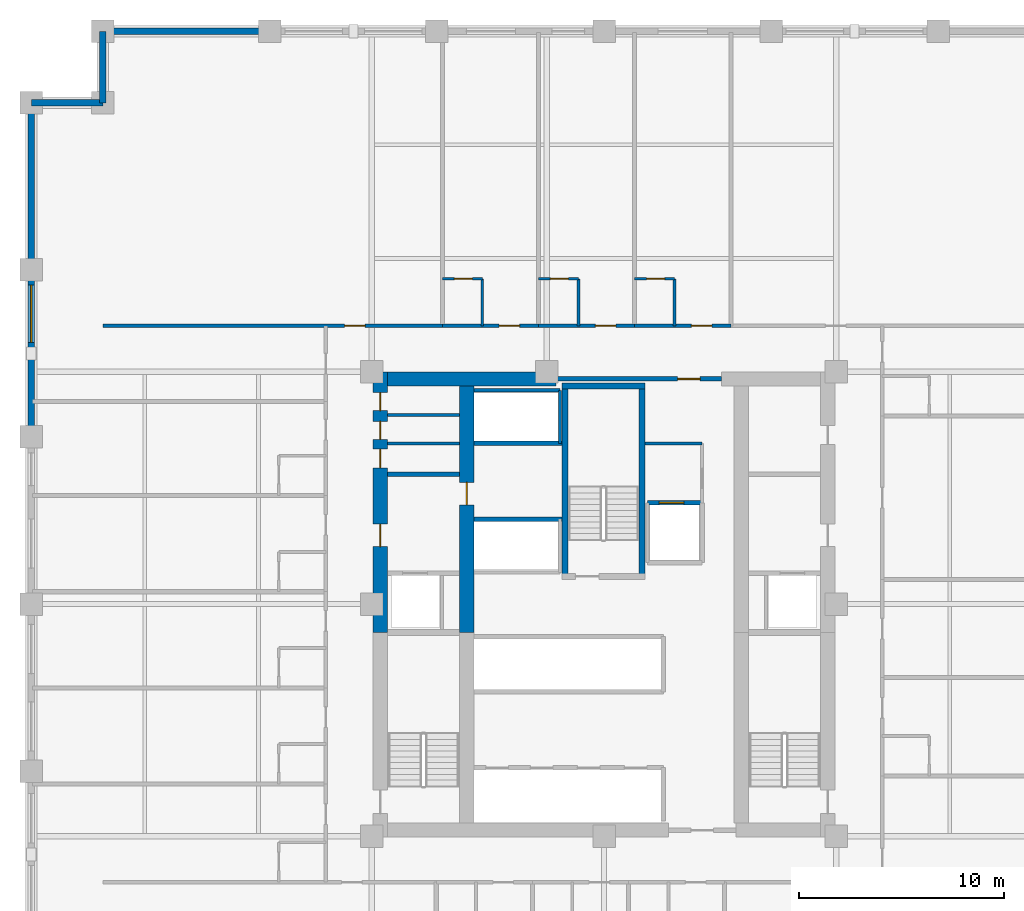
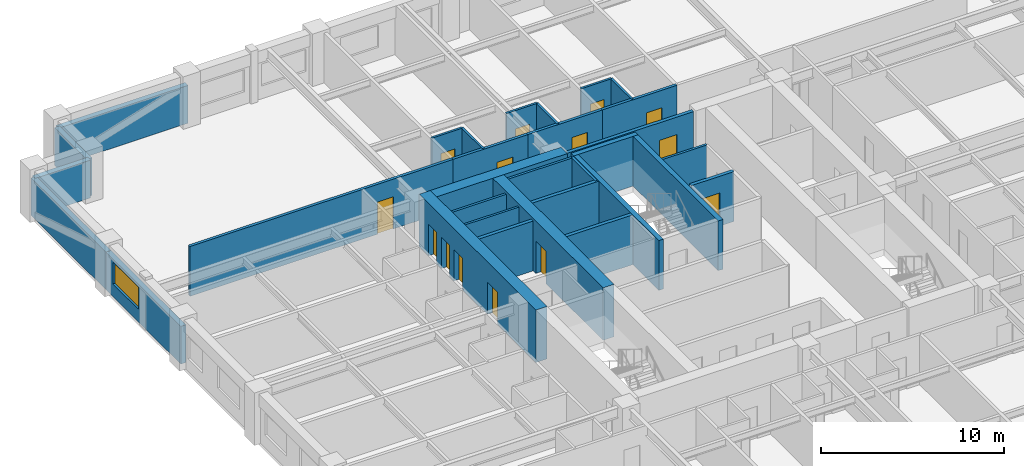
# One storey, part 5 of 8: 31 walls, 14 doors, 1 window, 15 openings.
"""IFC4 building model written with IfcOpenShell, lengths in metres."""

from ifc_helpers import new_model, si_unit, direction, frame, frame_2d, origin, place, context, subcontext, project, spatial, rectangle, extrude, material, layer, layer_set, type_object, element, fill, save


model = new_model("IFC4")

# Units and contexts
model_context = context("Model", 3, precision=1e-05, world=origin(), true_north=direction((0.0, 1.0)))
body_context = subcontext(model_context, "Body", "Model", "MODEL_VIEW")
ifc_project = project(units=[si_unit("LENGTHUNIT", "METRE"), si_unit("AREAUNIT", "SQUARE_METRE"), si_unit("VOLUMEUNIT", "CUBIC_METRE"), si_unit("PLANEANGLEUNIT", "RADIAN"), si_unit("MASSUNIT", "GRAM", prefix="KILO")], contexts=[model_context])

# Site, building, storey
site_placement = place(None, origin())
site = spatial("IfcSite", under=ifc_project, at=site_placement, CompositionType="ELEMENT")
building_placement = place(site_placement, origin())
building = spatial("IfcBuilding", under=site, at=building_placement, Name="Nhamokura Convention Tower", CompositionType="ELEMENT")
storey_placement = place(building_placement, frame((0.0, 0.0, 42.35009765625)))
storey = spatial("IfcBuildingStorey", under=building, at=storey_placement, Name="L08", CompositionType="ELEMENT", Elevation=42.35009765625)

# Walls
ifc_material_1 = material(Name="Moisture-resistant tile-backer partition", Category="masonry")
ifc_layer_1 = layer(ifc_material_1, 0.139892578125)
ifc_layer_set_1 = layer_set([ifc_layer_1], Name="BathroomWetWall_140")
wall_type_1 = type_object("IfcWallType", Name="BathroomWetWall_140", PredefinedType="STANDARD", material=ifc_layer_set_1)
wall_1_placement = place(storey_placement, frame((21.409912109375, 39.85009765625, 0.0), z_axis=(0.0, 0.0, 1.0), x_axis=(1.0, 0.0, 0.0)))
element("IfcWall", 1, at=wall_1_placement, inside=storey, type_object=wall_type_1, Name="L08 Wall INT-L08-CWNW1", PredefinedType="STANDARD", context=body_context, shape_type="SweptSolid", body=[
    extrude(rectangle(XDim=3.530029296875, YDim=0.139892578125, at=frame_2d((1.76513671875, 0.0))), origin(), (0.0, 0.0, 1.0), 3.31982421875),
])
wall_2_placement = place(storey_placement, frame((26.050048828125, 45.60009765625, 0.0), z_axis=(0.0, 0.0, 1.0), x_axis=(0.0, 1.0, 0.0)))
element("IfcWall", 2, at=wall_2_placement, inside=storey, type_object=wall_type_1, Name="L08 Wall INT-L08-BW-N01E", PredefinedType="STANDARD", context=body_context, shape_type="SweptSolid", body=[
    extrude(rectangle(XDim=2.2998046875, YDim=0.139892578125, at=frame_2d((1.14990234375, 0.0))), origin(), (0.0, 0.0, 1.0), 3.31982421875),
])

# Wall, opening, door
wall_3_placement = place(storey_placement, frame((24.10009765625, 47.89990234375, 0.0), z_axis=(0.0, 0.0, 1.0), x_axis=(1.0, 0.0, 0.0)))
wall_3 = element("IfcWall", 3, at=wall_3_placement, inside=storey, type_object=wall_type_1, Name="L08 Wall INT-L08-BW-N01N", PredefinedType="STANDARD", context=body_context, shape_type="SweptSolid", body=[
    extrude(rectangle(XDim=1.949951171875, YDim=0.139892578125, at=frame_2d((0.97509765625, 0.0))), origin(), (0.0, 0.0, 1.0), 3.31982421875),
])
opening_1_placement = place(wall_3_placement, frame((0.580078125, 0.0, 0.0)))
opening_1 = element("IfcOpeningElement", 4, at=opening_1_placement, cuts=wall_3, Name="Opening D-11", PredefinedType="OPENING", context=body_context, shape_type="SweptSolid", body=[
    extrude(rectangle(XDim=0.8798828125, YDim=2.10009765625, at=frame_2d((0.43994140625, 1.050048828125))), frame((0.0, 0.079833984375, 0.0), z_axis=(0.0, -1.0, 0.0), x_axis=(1.0, 0.0, 0.0)), (0.0, 0.0, 1.0), 0.159912109375),
])
ifc_material_2 = material(Name="Solid oak hardwood", Category="wood")
door_type_1 = type_object("IfcDoorType", Name="BathroomDoor_880", OperationType="NOTDEFINED", PredefinedType="DOOR", material=ifc_material_2)
door_1_placement = place(opening_1_placement, origin())
door_1 = element("IfcDoor", 5, at=door_1_placement, inside=storey, type_object=door_type_1, Name="L08 Corner Suite En-suite Door", OperationType="SINGLE_SWING_RIGHT", OverallHeight=2.10009765625, OverallWidth=0.8798828125, PredefinedType="DOOR", context=body_context, shape_type="SweptSolid", body=[
    extrude(rectangle(XDim=0.8798828125, YDim=2.10009765625, at=frame_2d((0.43994140625, 1.050048828125))), frame((0.0, 0.02490234375, 0.0), z_axis=(0.0, -1.0, 0.0), x_axis=(1.0, 0.0, 0.0)), (0.0, 0.0, 1.0), 0.050048828125),
])
fill(opening_1, door_1)

# Wall
wall_4_placement = place(storey_placement, frame((30.75, 45.60009765625, 0.0), z_axis=(0.0, 0.0, 1.0), x_axis=(0.0, 1.0, 0.0)))
element("IfcWall", 6, at=wall_4_placement, inside=storey, type_object=wall_type_1, Name="L08 Wall INT-L08-BW-N02E", PredefinedType="STANDARD", context=body_context, shape_type="SweptSolid", body=[
    extrude(rectangle(XDim=2.2998046875, YDim=0.139892578125, at=frame_2d((1.14990234375, 0.0))), origin(), (0.0, 0.0, 1.0), 3.31982421875),
])

# Wall, opening, door
wall_5_placement = place(storey_placement, frame((28.800048828125, 47.89990234375, 0.0), z_axis=(0.0, 0.0, 1.0), x_axis=(1.0, 0.0, 0.0)))
wall_5 = element("IfcWall", 7, at=wall_5_placement, inside=storey, type_object=wall_type_1, Name="L08 Wall INT-L08-BW-N02N", PredefinedType="STANDARD", context=body_context, shape_type="SweptSolid", body=[
    extrude(rectangle(XDim=1.949951171875, YDim=0.139892578125, at=frame_2d((0.97509765625, 0.0))), origin(), (0.0, 0.0, 1.0), 3.31982421875),
])
opening_2_placement = place(wall_5_placement, frame((0.580078125, 0.0, 0.0)))
opening_2 = element("IfcOpeningElement", 8, at=opening_2_placement, cuts=wall_5, Name="Opening D-11", PredefinedType="OPENING", context=body_context, shape_type="SweptSolid", body=[
    extrude(rectangle(XDim=0.8798828125, YDim=2.10009765625, at=frame_2d((0.43994140625, 1.050048828125))), frame((0.0, 0.079833984375, 0.0), z_axis=(0.0, -1.0, 0.0), x_axis=(1.0, 0.0, 0.0)), (0.0, 0.0, 1.0), 0.159912109375),
])
door_2_placement = place(opening_2_placement, origin())
door_2 = element("IfcDoor", 9, at=door_2_placement, inside=storey, type_object=door_type_1, Name="L08 Guest Room En-suite Door", OperationType="SINGLE_SWING_RIGHT", OverallHeight=2.10009765625, OverallWidth=0.8798828125, PredefinedType="DOOR", context=body_context, shape_type="SweptSolid", body=[
    extrude(rectangle(XDim=0.8798828125, YDim=2.10009765625, at=frame_2d((0.43994140625, 1.050048828125))), frame((0.0, 0.02490234375, 0.0), z_axis=(0.0, -1.0, 0.0), x_axis=(1.0, 0.0, 0.0)), (0.0, 0.0, 1.0), 0.050048828125),
])
fill(opening_2, door_2)

# Wall
wall_6_placement = place(storey_placement, frame((35.449951171875, 45.60009765625, 0.0), z_axis=(0.0, 0.0, 1.0), x_axis=(0.0, 1.0, 0.0)))
element("IfcWall", 10, at=wall_6_placement, inside=storey, type_object=wall_type_1, Name="L08 Wall INT-L08-BW-N03E", PredefinedType="STANDARD", context=body_context, shape_type="SweptSolid", body=[
    extrude(rectangle(XDim=2.2998046875, YDim=0.139892578125, at=frame_2d((1.14990234375, 0.0))), origin(), (0.0, 0.0, 1.0), 3.31982421875),
])

# Wall, opening, door
wall_7_placement = place(storey_placement, frame((33.5, 47.89990234375, 0.0), z_axis=(0.0, 0.0, 1.0), x_axis=(1.0, 0.0, 0.0)))
wall_7 = element("IfcWall", 11, at=wall_7_placement, inside=storey, type_object=wall_type_1, Name="L08 Wall INT-L08-BW-N03N", PredefinedType="STANDARD", context=body_context, shape_type="SweptSolid", body=[
    extrude(rectangle(XDim=1.949951171875, YDim=0.139892578125, at=frame_2d((0.97509765625, 0.0))), origin(), (0.0, 0.0, 1.0), 3.31982421875),
])
opening_3_placement = place(wall_7_placement, frame((0.580078125, 0.0, 0.0)))
opening_3 = element("IfcOpeningElement", 12, at=opening_3_placement, cuts=wall_7, Name="Opening D-11", PredefinedType="OPENING", context=body_context, shape_type="SweptSolid", body=[
    extrude(rectangle(XDim=0.8798828125, YDim=2.10009765625, at=frame_2d((0.43994140625, 1.050048828125))), frame((0.0, 0.079833984375, 0.0), z_axis=(0.0, -1.0, 0.0), x_axis=(1.0, 0.0, 0.0)), (0.0, 0.0, 1.0), 0.159912109375),
])
door_3_placement = place(opening_3_placement, origin())
door_3 = element("IfcDoor", 13, at=door_3_placement, inside=storey, type_object=door_type_1, Name="L08 Corner Suite En-suite Door", OperationType="SINGLE_SWING_RIGHT", OverallHeight=2.10009765625, OverallWidth=0.8798828125, PredefinedType="DOOR", context=body_context, shape_type="SweptSolid", body=[
    extrude(rectangle(XDim=0.8798828125, YDim=2.10009765625, at=frame_2d((0.43994140625, 1.050048828125))), frame((0.0, 0.02490234375, 0.0), z_axis=(0.0, -1.0, 0.0), x_axis=(1.0, 0.0, 0.0)), (0.0, 0.0, 1.0), 0.050048828125),
])
fill(opening_3, door_3)

# Wall
ifc_material_3 = material(Name="Bronze-pigmented precast concrete C45/55", Category="concrete")
ifc_layer_2 = layer(ifc_material_3, 0.320068359375)
ifc_layer_set_2 = layer_set([ifc_layer_2], Name="BronzePrecastSpandrel_320")
wall_type_2 = type_object("IfcWallType", Name="BronzePrecastSpandrel_320", PredefinedType="USERDEFINED", material=ifc_layer_set_2)
wall_8_placement = place(storey_placement, frame((7.5, 60.0, 0.0), z_axis=(0.0, 0.0, 1.0), x_axis=(1.0, 0.0, 0.0)))
element("IfcWall", 14, at=wall_8_placement, inside=storey, type_object=wall_type_2, Name="L08 Braced-Bay Precast Wall NORTH 0", ObjectType="SPANDREL_WALL", PredefinedType="USERDEFINED", context=body_context, shape_type="SweptSolid", body=[
    extrude(rectangle(XDim=8.166748046875, YDim=0.320068359375, at=frame_2d((4.08349609375, 0.0))), origin(), (0.0, 0.0, 1.0), 2.52001953125),
])

# Wall, opening, window
wall_9_placement = place(storey_placement, frame((4.0, 40.166748046875, 0.0), z_axis=(0.0, 0.0, 1.0), x_axis=(0.0, 1.0, 0.0)))
wall_9 = element("IfcWall", 15, at=wall_9_placement, inside=storey, type_object=wall_type_2, Name="L08 Masonry-Frame Wall WEST 4", ObjectType="SPANDREL_WALL", PredefinedType="USERDEFINED", context=body_context, shape_type="SweptSolid", body=[
    extrude(rectangle(XDim=8.16650390625, YDim=0.320068359375, at=frame_2d((4.083251953125, 0.0))), origin(), (0.0, 0.0, 1.0), 2.52001953125),
])
opening_4_placement = place(wall_9_placement, frame((4.625, 0.0, 0.85009765625)))
opening_4 = element("IfcOpeningElement", 16, at=opening_4_placement, cuts=wall_9, Name="Opening W-04", PredefinedType="OPENING", context=body_context, shape_type="SweptSolid", body=[
    extrude(rectangle(XDim=2.800048828125, YDim=1.469970703125, at=frame_2d((1.39990234375, 0.73486328125))), frame((0.0, 0.169921875, 0.0), z_axis=(0.0, -1.0, 0.0), x_axis=(1.0, 0.0, 0.0)), (0.0, 0.0, 1.0), 0.340087890625),
])
ifc_material_4 = material(Name="Solar-control bronze low-E double glass", Category="glass")
window_type = type_object("IfcWindowType", Name="HotelSuiteWindow_2800", PartitioningType="DOUBLE_PANEL_VERTICAL", PredefinedType="WINDOW", material=ifc_material_4)
window_placement = place(opening_4_placement, origin())
window = element("IfcWindow", 17, at=window_placement, inside=storey, type_object=window_type, Name="L08 Facade Window WEST 4-3", OverallHeight=1.469970703125, OverallWidth=2.800048828125, PartitioningType="SINGLE_PANEL", PredefinedType="WINDOW", context=body_context, shape_type="SweptSolid", body=[
    extrude(rectangle(XDim=2.800048828125, YDim=1.469970703125, at=frame_2d((1.39990234375, 0.73486328125))), frame((0.0, 0.030029296875, 0.0), z_axis=(0.0, -1.0, 0.0), x_axis=(1.0, 0.0, 0.0)), (0.0, 0.0, 1.0), 0.06005859375),
])
fill(opening_4, window)

# Walls
wall_10_placement = place(storey_placement, frame((4.0, 48.333251953125, 0.0), z_axis=(0.0, 0.0, 1.0), x_axis=(0.0, 1.0, 0.0)))
element("IfcWall", 18, at=wall_10_placement, inside=storey, type_object=wall_type_2, Name="L08 Braced-Bay Precast Wall WEST 5", ObjectType="SPANDREL_WALL", PredefinedType="USERDEFINED", context=body_context, shape_type="SweptSolid", body=[
    extrude(rectangle(XDim=8.166748046875, YDim=0.320068359375, at=frame_2d((4.08349609375, 0.0))), origin(), (0.0, 0.0, 1.0), 2.52001953125),
])
for number, where, z_axis, x_axis, name in (
    (19, (7.5, 56.5, 0.0), (0.0, 0.0, 1.0), (0.0, 1.0, 0.0), "L08 Notched Corner Wall NW1"),
    (20, (4.0, 56.5, 0.0), (0.0, 0.0, 1.0), (1.0, 0.0, 0.0), "L08 Notched Corner Wall NW2"),
):
    element("IfcWall", number, at=place(storey_placement, frame(where, z_axis=z_axis, x_axis=x_axis)), inside=storey, type_object=wall_type_2, Name=name, ObjectType="SPANDREL_WALL", PredefinedType="USERDEFINED", context=body_context, shape_type="SweptSolid", body=[
        extrude(rectangle(XDim=3.5, YDim=0.320068359375, at=frame_2d((1.75, 0.0))), origin(), (0.0, 0.0, 1.0), 2.52001953125),
    ])

# Wall, openings, doors
ifc_material_5 = material(Name="Concrete C70/85", Category="concrete")
ifc_layer_3 = layer(ifc_material_5, 0.699951171875)
ifc_layer_set_3 = layer_set([ifc_layer_3], Name="CoreShearWall_700")
wall_type_3 = type_object("IfcWallType", Name="CoreShearWall_700", PredefinedType="SHEAR", material=ifc_layer_set_3)
wall_11_placement = place(storey_placement, frame((21.06005859375, 30.60009765625, 0.0), z_axis=(0.0, 0.0, 1.0), x_axis=(0.0, 1.0, 0.0)))
wall_11 = element("IfcWall", 21, at=wall_11_placement, inside=storey, type_object=wall_type_3, Name="L08 Core Shear Wall CW-WN", PredefinedType="SHEAR", context=body_context, shape_type="SweptSolid", body=[
    extrude(rectangle(XDim=12.75, YDim=0.699951171875, at=frame_2d((6.375, 0.0))), origin(), (0.0, 0.0, 1.0), 3.5),
])
opening_5_placement = place(wall_11_placement, frame((4.199951171875, 0.0, 0.0)))
opening_5 = element("IfcOpeningElement", 22, at=opening_5_placement, cuts=wall_11, Name="Opening D-05", PredefinedType="OPENING", context=body_context, shape_type="SweptSolid", body=[
    extrude(rectangle(XDim=1.10009765625, YDim=2.14990234375, at=frame_2d((0.550048828125, 1.074951171875))), frame((0.0, 0.35986328125, 0.0), z_axis=(0.0, -1.0, 0.0), x_axis=(1.0, 0.0, 0.0)), (0.0, 0.0, 1.0), 0.719970703125),
])
opening_6_placement = place(wall_11_placement, frame((8.050048828125, 0.0, 0.0)))
opening_6 = element("IfcOpeningElement", 23, at=opening_6_placement, cuts=wall_11, Name="Opening D-10", PredefinedType="OPENING", context=body_context, shape_type="SweptSolid", body=[
    extrude(rectangle(XDim=0.919921875, YDim=2.10009765625, at=frame_2d((0.4599609375, 1.050048828125))), frame((0.0, 0.35986328125, 0.0), z_axis=(0.0, -1.0, 0.0), x_axis=(1.0, 0.0, 0.0)), (0.0, 0.0, 1.0), 0.719970703125),
])
opening_7_placement = place(wall_11_placement, frame((9.449951171875, 0.0, 0.0)))
opening_7 = element("IfcOpeningElement", 24, at=opening_7_placement, cuts=wall_11, Name="Opening D-11", PredefinedType="OPENING", context=body_context, shape_type="SweptSolid", body=[
    extrude(rectangle(XDim=0.8798828125, YDim=2.10009765625, at=frame_2d((0.43994140625, 1.050048828125))), frame((0.0, 0.35986328125, 0.0), z_axis=(0.0, -1.0, 0.0), x_axis=(1.0, 0.0, 0.0)), (0.0, 0.0, 1.0), 0.719970703125),
])
opening_8_placement = place(wall_11_placement, frame((10.85009765625, 0.0, 0.0)))
opening_8 = element("IfcOpeningElement", 25, at=opening_8_placement, cuts=wall_11, Name="Opening D-11", PredefinedType="OPENING", context=body_context, shape_type="SweptSolid", body=[
    extrude(rectangle(XDim=0.8798828125, YDim=2.10009765625, at=frame_2d((0.43994140625, 1.050048828125))), frame((0.0, 0.35986328125, 0.0), z_axis=(0.0, -1.0, 0.0), x_axis=(1.0, 0.0, 0.0)), (0.0, 0.0, 1.0), 0.719970703125),
])
ifc_material_6 = material(Name="Solid oak hardwood", Category="wood")
door_type_2 = type_object("IfcDoorType", Name="AccessibleWCDoor_920", OperationType="NOTDEFINED", PredefinedType="DOOR", material=ifc_material_6)
door_4_placement = place(opening_6_placement, origin())
door_4 = element("IfcDoor", 26, at=door_4_placement, inside=storey, type_object=door_type_2, Name="L08 Core Door INT-L08-D-AWC", OperationType="SINGLE_SWING_LEFT", OverallHeight=2.10009765625, OverallWidth=0.919921875, PredefinedType="DOOR", context=body_context, shape_type="SweptSolid", body=[
    extrude(rectangle(XDim=0.919921875, YDim=2.10009765625, at=frame_2d((0.4599609375, 1.050048828125))), frame((0.0, 0.02490234375, 0.0), z_axis=(0.0, -1.0, 0.0), x_axis=(1.0, 0.0, 0.0)), (0.0, 0.0, 1.0), 0.050048828125),
])
fill(opening_6, door_4)
door_5_placement = place(opening_7_placement, origin())
door_5 = element("IfcDoor", 27, at=door_5_placement, inside=storey, type_object=door_type_1, Name="L08 Core Door INT-L08-D-CLN", OperationType="SINGLE_SWING_RIGHT", OverallHeight=2.10009765625, OverallWidth=0.8798828125, PredefinedType="DOOR", context=body_context, shape_type="SweptSolid", body=[
    extrude(rectangle(XDim=0.8798828125, YDim=2.10009765625, at=frame_2d((0.43994140625, 1.050048828125))), frame((0.0, 0.02490234375, 0.0), z_axis=(0.0, -1.0, 0.0), x_axis=(1.0, 0.0, 0.0)), (0.0, 0.0, 1.0), 0.050048828125),
])
fill(opening_7, door_5)
door_6_placement = place(opening_8_placement, origin())
door_6 = element("IfcDoor", 28, at=door_6_placement, inside=storey, type_object=door_type_1, Name="L08 Core Door INT-L08-D-PNT", OperationType="SINGLE_SWING_LEFT", OverallHeight=2.10009765625, OverallWidth=0.8798828125, PredefinedType="DOOR", context=body_context, shape_type="SweptSolid", body=[
    extrude(rectangle(XDim=0.8798828125, YDim=2.10009765625, at=frame_2d((0.43994140625, 1.050048828125))), frame((0.0, 0.02490234375, 0.0), z_axis=(0.0, -1.0, 0.0), x_axis=(1.0, 0.0, 0.0)), (0.0, 0.0, 1.0), 0.050048828125),
])
fill(opening_8, door_6)
ifc_material_7 = material(Name="Fire-rated steel door", Category="steel")
door_type_3 = type_object("IfcDoorType", Name="FireLobbyDoor_1100", OperationType="NOTDEFINED", PredefinedType="DOOR", material=ifc_material_7)
door_7_placement = place(opening_5_placement, origin())
door_7 = element("IfcDoor", 29, at=door_7_placement, inside=storey, type_object=door_type_3, Name="L08 Core Door INT-L08-D-FFLW", OperationType="SINGLE_SWING_RIGHT", OverallHeight=2.14990234375, OverallWidth=1.10009765625, PredefinedType="DOOR", context=body_context, shape_type="SweptSolid", body=[
    extrude(rectangle(XDim=1.10009765625, YDim=2.14990234375, at=frame_2d((0.550048828125, 1.074951171875))), frame((0.0, 0.02490234375, 0.0), z_axis=(0.0, -1.0, 0.0), x_axis=(1.0, 0.0, 0.0)), (0.0, 0.0, 1.0), 0.050048828125),
])
fill(opening_5, door_7)

# Wall
wall_12_placement = place(storey_placement, frame((21.409912109375, 43.0, 0.0), z_axis=(0.0, 0.0, 1.0), x_axis=(1.0, 0.0, 0.0)))
element("IfcWall", 30, at=wall_12_placement, inside=storey, type_object=wall_type_3, Name="L08 Core Shear Wall CW-N1", PredefinedType="SHEAR", context=body_context, shape_type="SweptSolid", body=[
    extrude(rectangle(XDim=8.239990234375, YDim=0.699951171875, at=frame_2d((4.1201171875, 0.0))), origin(), (0.0, 0.0, 1.0), 3.5),
])

# Wall, opening, door
wall_13_placement = place(storey_placement, frame((25.2900390625, 30.60009765625, 0.0), z_axis=(0.0, 0.0, 1.0), x_axis=(0.0, 1.0, 0.0)))
wall_13 = element("IfcWall", 31, at=wall_13_placement, inside=storey, type_object=wall_type_3, Name="L08 Core Shear Wall CW-IWN", PredefinedType="SHEAR", context=body_context, shape_type="SweptSolid", body=[
    extrude(rectangle(XDim=12.0498046875, YDim=0.699951171875, at=frame_2d((6.02490234375, 0.0))), origin(), (0.0, 0.0, 1.0), 3.5),
])
opening_9_placement = place(wall_13_placement, frame((6.25, 0.0, 0.0)))
opening_9 = element("IfcOpeningElement", 32, at=opening_9_placement, cuts=wall_13, Name="Opening D-05", PredefinedType="OPENING", context=body_context, shape_type="SweptSolid", body=[
    extrude(rectangle(XDim=1.10009765625, YDim=2.14990234375, at=frame_2d((0.550048828125, 1.074951171875))), frame((0.0, 0.35986328125, 0.0), z_axis=(0.0, -1.0, 0.0), x_axis=(1.0, 0.0, 0.0)), (0.0, 0.0, 1.0), 0.719970703125),
])
door_8_placement = place(opening_9_placement, origin())
door_8 = element("IfcDoor", 33, at=door_8_placement, inside=storey, type_object=door_type_3, Name="L08 Core Door INT-L08-D-B3LOB", OperationType="SINGLE_SWING_LEFT", OverallHeight=2.14990234375, OverallWidth=1.10009765625, PredefinedType="DOOR", context=body_context, shape_type="SweptSolid", body=[
    extrude(rectangle(XDim=1.10009765625, YDim=2.14990234375, at=frame_2d((0.550048828125, 1.074951171875))), frame((0.0, 0.02490234375, 0.0), z_axis=(0.0, -1.0, 0.0), x_axis=(1.0, 0.0, 0.0)), (0.0, 0.0, 1.0), 0.050048828125),
])
fill(opening_9, door_8)

ifc_material_8 = material(Name="Fire-rated gypsum and masonry partition", Category="masonry")
ifc_layer_4 = layer(ifc_material_8, 0.179931640625)
ifc_layer_set_4 = layer_set([ifc_layer_4], Name="CorridorRatedWall_180")
wall_type_4 = type_object("IfcWallType", Name="CorridorRatedWall_180", PredefinedType="STANDARD", material=ifc_layer_set_4)
wall_14_placement = place(storey_placement, frame((7.5, 45.60009765625, 0.0), z_axis=(0.0, 0.0, 1.0), x_axis=(1.0, 0.0, 0.0)))
wall_14 = element("IfcWall", 34, at=wall_14_placement, inside=storey, type_object=wall_type_4, Name="L08 Wall INT-L08-CW-N00", PredefinedType="STANDARD", context=body_context, shape_type="SweptSolid", body=[
    extrude(rectangle(XDim=16.60009765625, YDim=0.179931640625, at=frame_2d((8.300048828125, 0.0))), origin(), (0.0, 0.0, 1.0), 3.31982421875),
])
opening_10_placement = place(wall_14_placement, frame((11.824951171875, 0.0, 0.0)))
opening_10 = element("IfcOpeningElement", 35, at=opening_10_placement, cuts=wall_14, Name="Opening D-07", PredefinedType="OPENING", context=body_context, shape_type="SweptSolid", body=[
    extrude(rectangle(XDim=1.0, YDim=2.14990234375, at=frame_2d((0.5, 1.074951171875))), frame((0.0, 0.099853515625, 0.0), z_axis=(0.0, -1.0, 0.0), x_axis=(1.0, 0.0, 0.0)), (0.0, 0.0, 1.0), 0.199951171875),
])
ifc_material_9 = material(Name="Solid oak hardwood", Category="wood")
door_type_4 = type_object("IfcDoorType", Name="HotelSuiteEntryDoor_1000", OperationType="NOTDEFINED", PredefinedType="DOOR", material=ifc_material_9)
door_9_placement = place(opening_10_placement, origin())
door_9 = element("IfcDoor", 36, at=door_9_placement, inside=storey, type_object=door_type_4, Name="L08 Conference Salon N01 Door", OperationType="SINGLE_SWING_LEFT", OverallHeight=2.14990234375, OverallWidth=1.0, PredefinedType="DOOR", context=body_context, shape_type="SweptSolid", body=[
    extrude(rectangle(XDim=1.0, YDim=2.14990234375, at=frame_2d((0.5, 1.074951171875))), frame((0.0, 0.02490234375, 0.0), z_axis=(0.0, -1.0, 0.0), x_axis=(1.0, 0.0, 0.0)), (0.0, 0.0, 1.0), 0.050048828125),
])
fill(opening_10, door_9)

wall_15_placement = place(storey_placement, frame((24.10009765625, 45.60009765625, 0.0), z_axis=(0.0, 0.0, 1.0), x_axis=(1.0, 0.0, 0.0)))
wall_15 = element("IfcWall", 37, at=wall_15_placement, inside=storey, type_object=wall_type_4, Name="L08 Wall INT-L08-CW-N01", PredefinedType="STANDARD", context=body_context, shape_type="SweptSolid", body=[
    extrude(rectangle(XDim=4.699951171875, YDim=0.179931640625, at=frame_2d((2.35009765625, 0.0))), origin(), (0.0, 0.0, 1.0), 3.31982421875),
])
opening_11_placement = place(wall_15_placement, frame((2.77490234375, 0.0, 0.0)))
opening_11 = element("IfcOpeningElement", 38, at=opening_11_placement, cuts=wall_15, Name="Opening D-07", PredefinedType="OPENING", context=body_context, shape_type="SweptSolid", body=[
    extrude(rectangle(XDim=1.0, YDim=2.14990234375, at=frame_2d((0.5, 1.074951171875))), frame((0.0, 0.099853515625, 0.0), z_axis=(0.0, -1.0, 0.0), x_axis=(1.0, 0.0, 0.0)), (0.0, 0.0, 1.0), 0.199951171875),
])
door_10_placement = place(opening_11_placement, origin())
door_10 = element("IfcDoor", 39, at=door_10_placement, inside=storey, type_object=door_type_4, Name="L08 Corner Suite N02 Door", OperationType="SINGLE_SWING_RIGHT", OverallHeight=2.14990234375, OverallWidth=1.0, PredefinedType="DOOR", context=body_context, shape_type="SweptSolid", body=[
    extrude(rectangle(XDim=1.0, YDim=2.14990234375, at=frame_2d((0.5, 1.074951171875))), frame((0.0, 0.02490234375, 0.0), z_axis=(0.0, -1.0, 0.0), x_axis=(1.0, 0.0, 0.0)), (0.0, 0.0, 1.0), 0.050048828125),
])
fill(opening_11, door_10)

wall_16_placement = place(storey_placement, frame((28.800048828125, 45.60009765625, 0.0), z_axis=(0.0, 0.0, 1.0), x_axis=(1.0, 0.0, 0.0)))
wall_16 = element("IfcWall", 40, at=wall_16_placement, inside=storey, type_object=wall_type_4, Name="L08 Wall INT-L08-CW-N02", PredefinedType="STANDARD", context=body_context, shape_type="SweptSolid", body=[
    extrude(rectangle(XDim=4.699951171875, YDim=0.179931640625, at=frame_2d((2.35009765625, 0.0))), origin(), (0.0, 0.0, 1.0), 3.31982421875),
])
opening_12_placement = place(wall_16_placement, frame((2.77490234375, 0.0, 0.0)))
opening_12 = element("IfcOpeningElement", 41, at=opening_12_placement, cuts=wall_16, Name="Opening D-07", PredefinedType="OPENING", context=body_context, shape_type="SweptSolid", body=[
    extrude(rectangle(XDim=1.0, YDim=2.14990234375, at=frame_2d((0.5, 1.074951171875))), frame((0.0, 0.099853515625, 0.0), z_axis=(0.0, -1.0, 0.0), x_axis=(1.0, 0.0, 0.0)), (0.0, 0.0, 1.0), 0.199951171875),
])
door_11_placement = place(opening_12_placement, origin())
door_11 = element("IfcDoor", 42, at=door_11_placement, inside=storey, type_object=door_type_4, Name="L08 Guest Room N03 Door", OperationType="SINGLE_SWING_LEFT", OverallHeight=2.14990234375, OverallWidth=1.0, PredefinedType="DOOR", context=body_context, shape_type="SweptSolid", body=[
    extrude(rectangle(XDim=1.0, YDim=2.14990234375, at=frame_2d((0.5, 1.074951171875))), frame((0.0, 0.02490234375, 0.0), z_axis=(0.0, -1.0, 0.0), x_axis=(1.0, 0.0, 0.0)), (0.0, 0.0, 1.0), 0.050048828125),
])
fill(opening_12, door_11)

wall_17_placement = place(storey_placement, frame((33.5, 45.60009765625, 0.0), z_axis=(0.0, 0.0, 1.0), x_axis=(1.0, 0.0, 0.0)))
wall_17 = element("IfcWall", 43, at=wall_17_placement, inside=storey, type_object=wall_type_4, Name="L08 Wall INT-L08-CW-N03", PredefinedType="STANDARD", context=body_context, shape_type="SweptSolid", body=[
    extrude(rectangle(XDim=4.699951171875, YDim=0.179931640625, at=frame_2d((2.35009765625, 0.0))), origin(), (0.0, 0.0, 1.0), 3.31982421875),
])
opening_13_placement = place(wall_17_placement, frame((2.77490234375, 0.0, 0.0)))
opening_13 = element("IfcOpeningElement", 44, at=opening_13_placement, cuts=wall_17, Name="Opening D-07", PredefinedType="OPENING", context=body_context, shape_type="SweptSolid", body=[
    extrude(rectangle(XDim=1.0, YDim=2.14990234375, at=frame_2d((0.5, 1.074951171875))), frame((0.0, 0.099853515625, 0.0), z_axis=(0.0, -1.0, 0.0), x_axis=(1.0, 0.0, 0.0)), (0.0, 0.0, 1.0), 0.199951171875),
])
door_12_placement = place(opening_13_placement, origin())
door_12 = element("IfcDoor", 45, at=door_12_placement, inside=storey, type_object=door_type_4, Name="L08 Corner Suite N04 Door", OperationType="SINGLE_SWING_RIGHT", OverallHeight=2.14990234375, OverallWidth=1.0, PredefinedType="DOOR", context=body_context, shape_type="SweptSolid", body=[
    extrude(rectangle(XDim=1.0, YDim=2.14990234375, at=frame_2d((0.5, 1.074951171875))), frame((0.0, 0.02490234375, 0.0), z_axis=(0.0, -1.0, 0.0), x_axis=(1.0, 0.0, 0.0)), (0.0, 0.0, 1.0), 0.050048828125),
])
fill(opening_13, door_12)

# Walls
ifc_material_10 = material(Name="Autoclaved concrete blockwork", Category="masonry")
ifc_layer_5 = layer(ifc_material_10, 0.219970703125)
ifc_layer_set_5 = layer_set([ifc_layer_5], Name="FireLobbyWall_220")
wall_type_5 = type_object("IfcWallType", Name="FireLobbyWall_220", PredefinedType="STANDARD", material=ifc_layer_set_5)
wall_18_placement = place(storey_placement, frame((21.409912109375, 38.35009765625, 0.0), z_axis=(0.0, 0.0, 1.0), x_axis=(1.0, 0.0, 0.0)))
element("IfcWall", 46, at=wall_18_placement, inside=storey, type_object=wall_type_5, Name="L08 Wall INT-L08-FFW-N", PredefinedType="STANDARD", context=body_context, shape_type="SweptSolid", body=[
    extrude(rectangle(XDim=3.530029296875, YDim=0.219970703125, at=frame_2d((1.76513671875, 0.0))), origin(), (0.0, 0.0, 1.0), 3.31982421875),
])
for number, where, z_axis, x_axis, name in (
    (47, (25.64990234375, 36.14990234375, 0.0), (0.0, 0.0, 1.0), (1.0, 0.0, 0.0), "L08 Wall INT-L08-B3S"),
    (48, (25.64990234375, 39.85009765625, 0.0), (0.0, 0.0, 1.0), (1.0, 0.0, 0.0), "L08 Wall INT-L08-B3N"),
):
    element("IfcWall", number, at=place(storey_placement, frame(where, z_axis=z_axis, x_axis=x_axis)), inside=storey, type_object=wall_type_5, Name=name, PredefinedType="STANDARD", context=body_context, shape_type="SweptSolid", body=[
        extrude(rectangle(XDim=4.300048828125, YDim=0.219970703125, at=frame_2d((2.14990234375, 0.0))), origin(), (0.0, 0.0, 1.0), 3.31982421875),
    ])

# Wall, opening, door
wall_19_placement = place(storey_placement, frame((29.64990234375, 43.0, 0.0), z_axis=(0.0, 0.0, 1.0), x_axis=(1.0, 0.0, 0.0)))
wall_19 = element("IfcWall", 49, at=wall_19_placement, inside=storey, type_object=wall_type_5, Name="L08 Wall INT-L08-CPORT-N", PredefinedType="STANDARD", context=body_context, shape_type="SweptSolid", body=[
    extrude(rectangle(XDim=8.10009765625, YDim=0.219970703125, at=frame_2d((4.050048828125, 0.0))), origin(), (0.0, 0.0, 1.0), 3.31982421875),
])
opening_14_placement = place(wall_19_placement, frame((5.949951171875, 0.0, 0.0)))
opening_14 = element("IfcOpeningElement", 50, at=opening_14_placement, cuts=wall_19, Name="Opening D-05", PredefinedType="OPENING", context=body_context, shape_type="SweptSolid", body=[
    extrude(rectangle(XDim=1.10009765625, YDim=2.14990234375, at=frame_2d((0.550048828125, 1.074951171875))), frame((0.0, 0.119873046875, 0.0), z_axis=(0.0, -1.0, 0.0), x_axis=(1.0, 0.0, 0.0)), (0.0, 0.0, 1.0), 0.239990234375),
])
door_13_placement = place(opening_14_placement, origin())
door_13 = element("IfcDoor", 51, at=door_13_placement, inside=storey, type_object=door_type_3, Name="L08 North Core Lobby Portal Door", OperationType="SINGLE_SWING_RIGHT", OverallHeight=2.14990234375, OverallWidth=1.10009765625, PredefinedType="DOOR", context=body_context, shape_type="SweptSolid", body=[
    extrude(rectangle(XDim=1.10009765625, YDim=2.14990234375, at=frame_2d((0.550048828125, 1.074951171875))), frame((0.0, 0.02490234375, 0.0), z_axis=(0.0, -1.0, 0.0), x_axis=(1.0, 0.0, 0.0)), (0.0, 0.0, 1.0), 0.050048828125),
])
fill(opening_14, door_13)

wall_20_placement = place(storey_placement, frame((34.1201171875, 36.949951171875, 0.0), z_axis=(0.0, 0.0, 1.0), x_axis=(1.0, 0.0, 0.0)))
wall_20 = element("IfcWall", 52, at=wall_20_placement, inside=storey, type_object=wall_type_5, Name="L08 Wall INT-L08-LSN", PredefinedType="STANDARD", context=body_context, shape_type="SweptSolid", body=[
    extrude(rectangle(XDim=2.679931640625, YDim=0.219970703125, at=frame_2d((1.33984375, 0.0))), origin(), (0.0, 0.0, 1.0), 3.31982421875),
])
opening_15_placement = place(wall_20_placement, frame((0.580078125, 0.0, 0.0)))
opening_15 = element("IfcOpeningElement", 53, at=opening_15_placement, cuts=wall_20, Name="Opening LD-02", PredefinedType="OPENING", context=body_context, shape_type="SweptSolid", body=[
    extrude(rectangle(XDim=1.199951171875, YDim=2.199951171875, at=frame_2d((0.60009765625, 1.10009765625))), frame((0.0, 0.119873046875, 0.0), z_axis=(0.0, -1.0, 0.0), x_axis=(1.0, 0.0, 0.0)), (0.0, 0.0, 1.0), 0.239990234375),
])
ifc_material_11 = material(Name="Anodised bronze stainless steel", Category="steel")
door_type_5 = type_object("IfcDoorType", Name="LiftLandingDoor_FireService", OperationType="DOUBLE_DOOR_SLIDING", PredefinedType="DOOR", material=ifc_material_11)
door_14_placement = place(opening_15_placement, origin())
door_14 = element("IfcDoor", 54, at=door_14_placement, inside=storey, type_object=door_type_5, Name="L08 Service Lift LS-01 Door", OperationType="DOUBLE_DOOR_SLIDING", OverallHeight=2.199951171875, OverallWidth=1.199951171875, PredefinedType="DOOR", context=body_context, shape_type="SweptSolid", body=[
    extrude(rectangle(XDim=1.199951171875, YDim=2.199951171875, at=frame_2d((0.60009765625, 1.10009765625))), frame((0.0, 0.02490234375, 0.0), z_axis=(0.0, -1.0, 0.0), x_axis=(1.0, 0.0, 0.0)), (0.0, 0.0, 1.0), 0.050048828125),
])
fill(opening_15, door_14)

# Walls
ifc_material_12 = material(Name="Acoustic gypsum stud partition", Category="masonry")
ifc_layer_6 = layer(ifc_material_12, 0.14990234375)
ifc_layer_set_6 = layer_set([ifc_layer_6], Name="InteriorPartition_150")
wall_type_6 = type_object("IfcWallType", Name="InteriorPartition_150", PredefinedType="STANDARD", material=ifc_layer_set_6)
wall_21_placement = place(storey_placement, frame((21.409912109375, 41.25, 0.0), z_axis=(0.0, 0.0, 1.0), x_axis=(1.0, 0.0, 0.0)))
element("IfcWall", 55, at=wall_21_placement, inside=storey, type_object=wall_type_6, Name="L08 Wall INT-L08-CWNW2", PredefinedType="STANDARD", context=body_context, shape_type="SweptSolid", body=[
    extrude(rectangle(XDim=3.530029296875, YDim=0.14990234375, at=frame_2d((1.76513671875, 0.0))), origin(), (0.0, 0.0, 1.0), 3.31982421875),
])
wall_22_placement = place(storey_placement, frame((34.0, 39.85009765625, 0.0), z_axis=(0.0, 0.0, 1.0), x_axis=(1.0, 0.0, 0.0)))
element("IfcWall", 56, at=wall_22_placement, inside=storey, type_object=wall_type_6, Name="L08 Wall INT-L08-NE-TELN", PredefinedType="STANDARD", context=body_context, shape_type="SweptSolid", body=[
    extrude(rectangle(XDim=2.800048828125, YDim=0.14990234375, at=frame_2d((1.39990234375, 0.0))), origin(), (0.0, 0.0, 1.0), 3.31982421875),
])
wall_23_placement = place(storey_placement, frame((25.64990234375, 42.449951171875, 0.0), z_axis=(0.0, 0.0, 1.0), x_axis=(1.0, 0.0, 0.0)))
element("IfcWall", 57, at=wall_23_placement, inside=storey, type_object=wall_type_6, Name="L08 Wall INT-L08-B3B-N", PredefinedType="STANDARD", context=body_context, shape_type="SweptSolid", body=[
    extrude(rectangle(XDim=4.2001953125, YDim=0.14990234375, at=frame_2d((2.10009765625, 0.0))), origin(), (0.0, 0.0, 1.0), 3.31982421875),
])
wall_24_placement = place(storey_placement, frame((29.85009765625, 39.85009765625, 0.0), z_axis=(0.0, 0.0, 1.0), x_axis=(0.0, 1.0, 0.0)))
element("IfcWall", 58, at=wall_24_placement, inside=storey, type_object=wall_type_6, Name="L08 Wall INT-L08-B3B-E", PredefinedType="STANDARD", context=body_context, shape_type="SweptSolid", body=[
    extrude(rectangle(XDim=2.599853515625, YDim=0.14990234375, at=frame_2d((1.2998046875, 0.0))), origin(), (0.0, 0.0, 1.0), 3.31982421875),
])
ifc_material_13 = material(Name="Concrete C50/60", Category="concrete")
ifc_layer_7 = layer(ifc_material_13, 0.300048828125)
ifc_layer_set_7 = layer_set([ifc_layer_7], Name="ShaftEnclosureWall_300")
wall_type_7 = type_object("IfcWallType", Name="ShaftEnclosureWall_300", PredefinedType="SHEAR", material=ifc_layer_set_7)
for number, where, z_axis, x_axis, name in (
    (59, (30.10009765625, 33.199951171875, 0.0), (0.0, 0.0, 1.0), (0.0, 1.0, 0.0), "L08 Wall INT-L08-ST03W"),
    (60, (33.85009765625, 33.199951171875, 0.0), (0.0, 0.0, 1.0), (0.0, 1.0, 0.0), "L08 Wall INT-L08-ST03E"),
):
    element("IfcWall", number, at=place(storey_placement, frame(where, z_axis=z_axis, x_axis=x_axis)), inside=storey, type_object=wall_type_7, Name=name, PredefinedType="SHEAR", context=body_context, shape_type="SweptSolid", body=[
        extrude(rectangle(XDim=9.60009765625, YDim=0.300048828125, at=frame_2d((4.800048828125, 0.0))), origin(), (0.0, 0.0, 1.0), 3.31982421875),
    ])
wall_25_placement = place(storey_placement, frame((29.949951171875, 42.64990234375, 0.0), z_axis=(0.0, 0.0, 1.0), x_axis=(1.0, 0.0, 0.0)))
element("IfcWall", 61, at=wall_25_placement, inside=storey, type_object=wall_type_7, Name="L08 Wall INT-L08-ST03N", PredefinedType="SHEAR", context=body_context, shape_type="SweptSolid", body=[
    extrude(rectangle(XDim=4.050048828125, YDim=0.300048828125, at=frame_2d((2.02490234375, 0.0))), origin(), (0.0, 0.0, 1.0), 3.31982421875),
])

save(model, "model.ifc")
